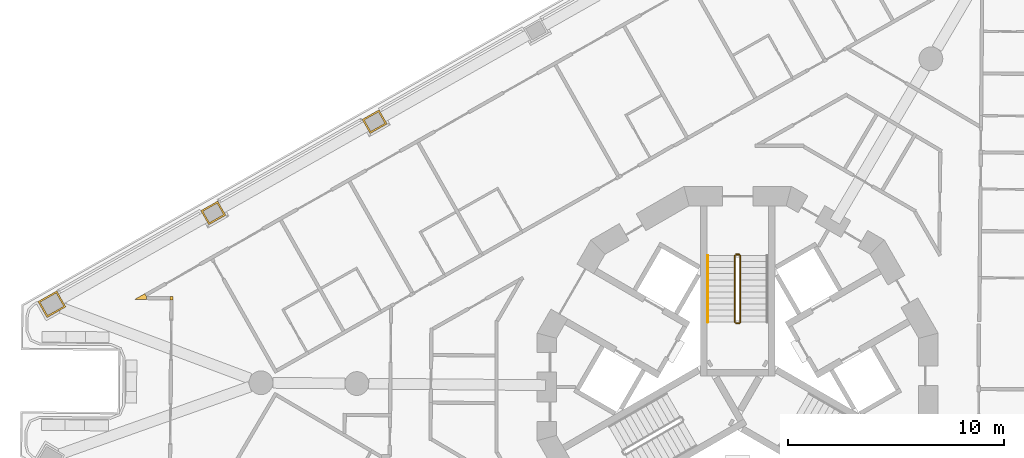
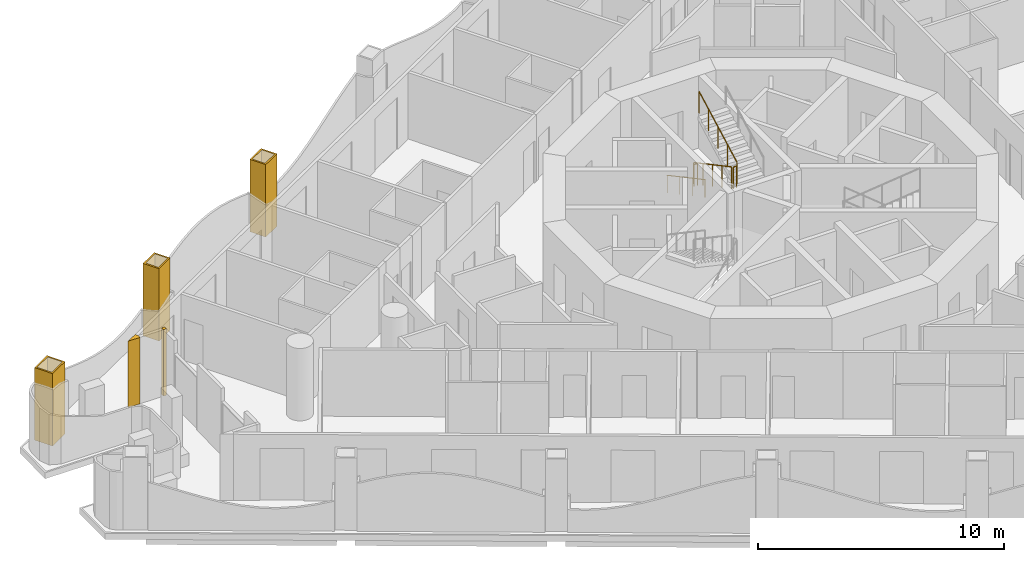
# One storey, part 16 of 18: 5 coverings, 5 railings.
"""IFC4 building model written with IfcOpenShell, lengths in metres."""

from ifc_helpers import new_model, si_unit, direction, frame, origin, origin_2d, place, context, subcontext, project, spatial, polyline, circle, outline, extrude, material, layer, layer_set, type_object, element, save


model = new_model("IFC4")

# Units and contexts
model_context = context("Model", 3, precision=1e-05, world=origin(), true_north=direction((0.0, 1.0)))
body_context = subcontext(model_context, "Body", "Model", "MODEL_VIEW")
ifc_project = project(units=[si_unit("LENGTHUNIT", "METRE"), si_unit("AREAUNIT", "SQUARE_METRE"), si_unit("VOLUMEUNIT", "CUBIC_METRE"), si_unit("PLANEANGLEUNIT", "RADIAN"), si_unit("MASSUNIT", "GRAM", prefix="KILO")], contexts=[model_context])

# Site, building, storey
site_placement = place(None, origin())
site = spatial("IfcSite", under=ifc_project, at=site_placement, CompositionType="ELEMENT")
building_placement = place(site_placement, origin())
building = spatial("IfcBuilding", under=site, at=building_placement, Name="Trine Commons Tower", CompositionType="ELEMENT")
storey_placement = place(building_placement, frame((0.0, 0.0, 171.89990234375)))
storey = spatial("IfcBuildingStorey", under=building, at=storey_placement, Name="L44", CompositionType="ELEMENT", Elevation=171.89990234375)

# Coverings
ifc_material_1 = material(Name="Aluminium-framed insulated wall panel", Category="aluminium")
ifc_layer_1 = layer(ifc_material_1, 0.14990234375)
ifc_layer_set_1 = layer_set([ifc_layer_1], Name="Aluminium-framed insulated wall panel")
covering_type_1 = type_object("IfcCoveringType", Name="Glazing corner post, aluminium", PredefinedType="CLADDING", material=ifc_layer_set_1)
covering_1_placement = place(storey_placement, origin())
element("IfcCovering", 1, at=covering_1_placement, inside=storey, type_object=covering_type_1, Name="Glazing corner post 5-03", PredefinedType="CLADDING", context=body_context, shape_type="SweptSolid", body=[
    extrude(outline(polyline([(53.89892578125, 66.517822265625), (53.900390625, 66.66796875), (53.750244140625, 66.669189453125), (53.7490234375, 66.519287109375), (53.89892578125, 66.517822265625)])), origin(), (0.0, 0.0, 1.0), 3.300048828125),
])
covering_2_placement = place(storey_placement, origin())
element("IfcCovering", 2, at=covering_2_placement, inside=storey, type_object=covering_type_1, Name="Glazing corner post 5-04", PredefinedType="CLADDING", context=body_context, shape_type="SweptSolid", body=[
    extrude(outline(polyline([(52.663330078125, 66.52880859375), (52.66455078125, 66.6787109375), (52.5908203125, 66.809326171875), (52.103515625, 66.53369140625), (52.663330078125, 66.52880859375)])), origin(), (0.0, 0.0, 1.0), 3.300048828125),
])
ifc_material_2 = material(Name="Limestone, honed", Category="masonry")
ifc_layer_2 = layer(ifc_material_2, 0.074951171875)
ifc_layer_set_2 = layer_set([ifc_layer_2], Name="Limestone, honed")
covering_type_2 = type_object("IfcCoveringType", Name="Limestone column cladding 75", PredefinedType="CLADDING", material=ifc_layer_set_2)
covering_3_placement = place(storey_placement, origin())
element("IfcCovering", 3, at=covering_3_placement, inside=storey, type_object=covering_type_2, Name="Limestone pier cladding 5-08", PredefinedType="CLADDING", context=body_context, shape_type="SweptSolid", body=[
    extrude(outline(polyline([(48.94091796875, 66.197509765625), (48.522216796875, 66.9375), (47.65185546875, 66.445068359375), (48.0703125, 65.705078125), (48.94091796875, 66.197509765625)]), holes=[polyline([(48.83837890625, 66.22607421875), (48.493896484375, 66.835205078125), (47.754150390625, 66.41650390625), (48.0986328125, 65.807373046875), (48.83837890625, 66.22607421875)])]), origin(), (0.0, 0.0, 1.0), 3.60009765625),
])
covering_4_placement = place(storey_placement, origin())
element("IfcCovering", 4, at=covering_4_placement, inside=storey, type_object=covering_type_2, Name="Limestone pier cladding 5-09", PredefinedType="CLADDING", context=body_context, shape_type="SweptSolid", body=[
    extrude(outline(polyline([(56.33203125, 70.43701171875), (55.962890625, 71.089599609375), (55.179443359375, 70.646484375), (55.548828125, 69.99365234375), (56.33203125, 70.43701171875)]), holes=[polyline([(56.22998046875, 70.46533203125), (55.9345703125, 70.987548828125), (55.28173828125, 70.6181640625), (55.5771484375, 70.095947265625), (56.22998046875, 70.46533203125)])]), origin(), (0.0, 0.0, 1.0), 3.60009765625),
])
covering_5_placement = place(storey_placement, origin())
element("IfcCovering", 5, at=covering_5_placement, inside=storey, type_object=covering_type_2, Name="Limestone pier cladding 5-10", PredefinedType="CLADDING", context=body_context, shape_type="SweptSolid", body=[
    extrude(outline(polyline([(63.79150390625, 74.6572265625), (63.422119140625, 75.31005859375), (62.638916015625, 74.86669921875), (63.00830078125, 74.214111328125), (63.79150390625, 74.6572265625)]), holes=[polyline([(63.689208984375, 74.685546875), (63.393798828125, 75.207763671875), (62.7412109375, 74.83837890625), (63.03662109375, 74.316162109375), (63.689208984375, 74.685546875)])]), origin(), (0.0, 0.0, 1.0), 3.60009765625),
])

# Railings
ifc_material_3 = material(Name="Stainless steel balustrade", Category="steel")
railing_type_1 = type_object("IfcRailingType", Name="Stair guard, steel balustrade 1100", PredefinedType="GUARDRAIL", material=ifc_material_3)
railing_1_placement = place(storey_placement, frame((79.875, 68.570556640625, 0.150146484375)))
element("IfcRailing", 6, at=railing_1_placement, inside=storey, type_object=railing_type_1, Name="L44 ST1B stair guard 1", PredefinedType="GUARDRAIL", context=body_context, shape_type="SweptSolid", body=[
    extrude(circle(Radius=0.02392578125, at=origin_2d()), frame((0.0, 0.0, 1.076171875), z_axis=(0.0, -0.881496589024, 0.472190389079), x_axis=(1.0, 0.0, 0.0)), (0.0, 0.0, 1.0), 3.494140625),
    extrude(circle(Radius=0.02099609375, at=origin_2d()), origin(), (0.0, 0.0, 1.0), 1.052001953125),
    extrude(circle(Radius=0.02099609375, at=origin_2d()), frame((0.0, -0.77001953125, 0.41259765625)), (0.0, 0.0, 1.0), 1.052001953125),
    extrude(circle(Radius=0.02099609375, at=origin_2d()), frame((0.0, -1.5400390625, 0.824951171875)), (0.0, 0.0, 1.0), 1.052001953125),
    extrude(circle(Radius=0.02099609375, at=origin_2d()), frame((0.0, -2.31005859375, 1.2373046875)), (0.0, 0.0, 1.0), 1.052001953125),
    extrude(circle(Radius=0.02099609375, at=origin_2d()), frame((0.0, -3.080078125, 1.64990234375)), (0.0, 0.0, 1.0), 1.052001953125),
])
railing_2_placement = place(storey_placement, frame((79.925048828125, 65.440673828125, 1.800048828125)))
element("IfcRailing", 7, at=railing_2_placement, inside=storey, type_object=railing_type_1, Name="L44 ST1B stair guard 2", PredefinedType="GUARDRAIL", context=body_context, shape_type="SweptSolid", body=[
    extrude(circle(Radius=0.02392578125, at=origin_2d()), frame((0.0, 0.0, 1.076171875), z_axis=(1.0, 0.0, 0.0), x_axis=(0.0, 1.0, 0.0)), (0.0, 0.0, 1.0), 0.14990234375),
    extrude(circle(Radius=0.02099609375, at=origin_2d()), origin(), (0.0, 0.0, 1.0), 1.052001953125),
    extrude(circle(Radius=0.02099609375, at=origin_2d()), frame((0.14990234375, 0.0, 0.0)), (0.0, 0.0, 1.0), 1.052001953125),
])
railing_3_placement = place(storey_placement, frame((80.125, 65.490478515625, 1.9501953125)))
element("IfcRailing", 8, at=railing_3_placement, inside=storey, type_object=railing_type_1, Name="L44 ST1B stair guard 3", PredefinedType="GUARDRAIL", context=body_context, shape_type="SweptSolid", body=[
    extrude(circle(Radius=0.02392578125, at=origin_2d()), frame((0.0, 0.0, 1.076171875), z_axis=(0.0, 0.881496589024, 0.472190389079), x_axis=(-1.0, 0.0, 0.0)), (0.0, 0.0, 1.0), 3.494140625),
    extrude(circle(Radius=0.02099609375, at=origin_2d()), origin(), (0.0, 0.0, 1.0), 1.052001953125),
    extrude(circle(Radius=0.02099609375, at=origin_2d()), frame((0.0, 0.77001953125, 0.41259765625)), (0.0, 0.0, 1.0), 1.052001953125),
    extrude(circle(Radius=0.02099609375, at=origin_2d()), frame((0.0, 1.5400390625, 0.824951171875)), (0.0, 0.0, 1.0), 1.052001953125),
    extrude(circle(Radius=0.02099609375, at=origin_2d()), frame((0.0, 2.31005859375, 1.2373046875)), (0.0, 0.0, 1.0), 1.052001953125),
    extrude(circle(Radius=0.02099609375, at=origin_2d()), frame((0.0, 3.080078125, 1.64990234375)), (0.0, 0.0, 1.0), 1.052001953125),
])
railing_4_placement = place(storey_placement, frame((79.925048828125, 68.62060546875, 0.0)))
element("IfcRailing", 9, at=railing_4_placement, inside=storey, type_object=railing_type_1, Name="L44 ST1B stair guard 4", PredefinedType="GUARDRAIL", context=body_context, shape_type="SweptSolid", body=[
    extrude(circle(Radius=0.02392578125, at=origin_2d()), frame((0.0, 0.0, 1.076171875), z_axis=(1.0, 0.0, 0.0), x_axis=(0.0, 1.0, 0.0)), (0.0, 0.0, 1.0), 0.14990234375),
    extrude(circle(Radius=0.02099609375, at=origin_2d()), origin(), (0.0, 0.0, 1.0), 1.052001953125),
    extrude(circle(Radius=0.02099609375, at=origin_2d()), frame((0.14990234375, 0.0, 0.0)), (0.0, 0.0, 1.0), 1.052001953125),
])
ifc_material_4 = material(Name="Stainless steel handrail", Category="steel")
railing_type_2 = type_object("IfcRailingType", Name="Stair handrail, steel 900", PredefinedType="HANDRAIL", material=ifc_material_4)
railing_5_placement = place(storey_placement, frame((78.625, 68.570556640625, 0.150146484375)))
element("IfcRailing", 10, at=railing_5_placement, inside=storey, type_object=railing_type_2, Name="L44 ST1B stair handrail 1", PredefinedType="HANDRAIL", context=body_context, shape_type="SweptSolid", body=[
    extrude(circle(Radius=0.02099609375, at=origin_2d()), frame((0.0, 0.0, 0.87890625), z_axis=(0.0, -0.881496589024, 0.472190389079), x_axis=(1.0, 0.0, 0.0)), (0.0, 0.0, 1.0), 3.494140625),
    extrude(circle(Radius=0.01513671875, at=origin_2d()), origin(), (0.0, 0.0, 1.0), 0.85791015625),
    extrude(circle(Radius=0.01513671875, at=origin_2d()), frame((0.0, -1.026611328125, 0.550048828125)), (0.0, 0.0, 1.0), 0.85791015625),
    extrude(circle(Radius=0.01513671875, at=origin_2d()), frame((0.0, -2.053466796875, 1.099853515625)), (0.0, 0.0, 1.0), 0.85791015625),
    extrude(circle(Radius=0.01513671875, at=origin_2d()), frame((0.0, -3.080078125, 1.64990234375)), (0.0, 0.0, 1.0), 0.85791015625),
])

save(model, "model.ifc")
